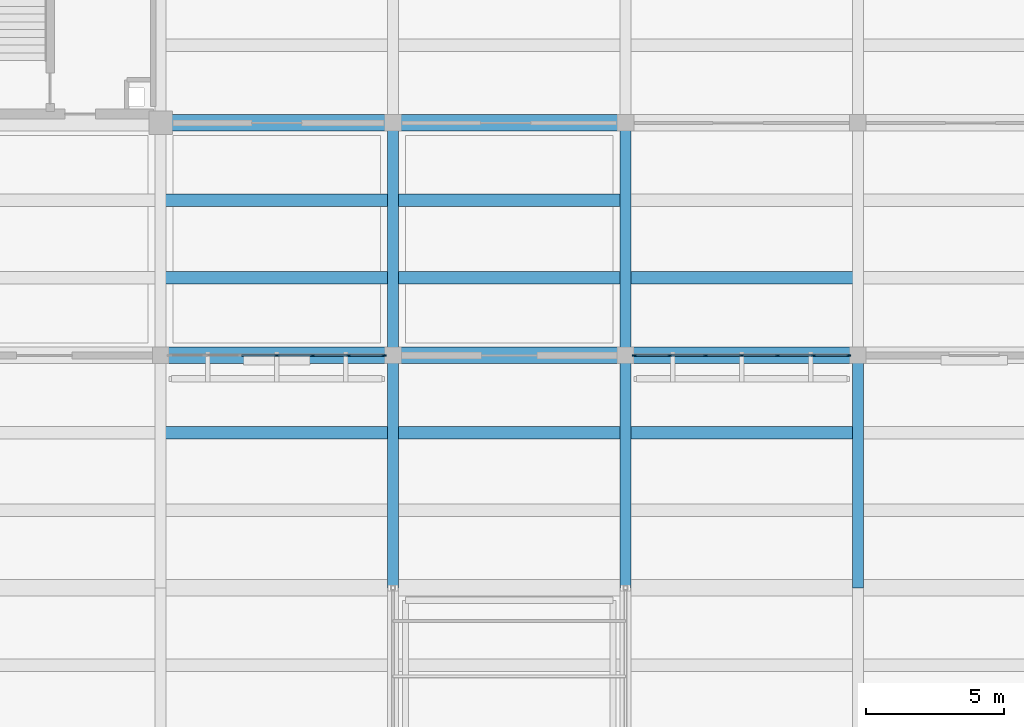
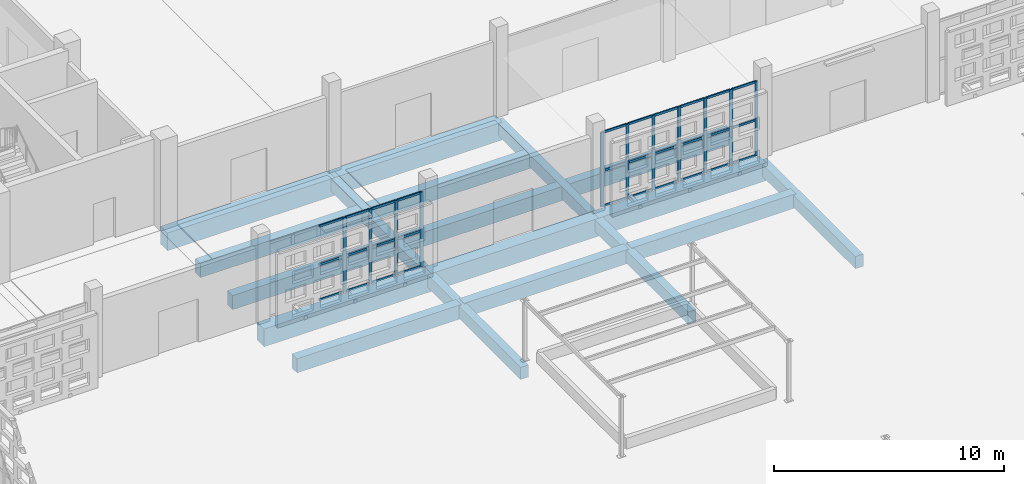
# One storey, part 28 of 129: 41 members, 18 beams, 2 elements without a shape of their own.
"""IFC4 building model written with IfcOpenShell, lengths in metres."""

from ifc_helpers import new_model, si_unit, direction, frame, origin, origin_2d, place, context, subcontext, project, spatial, rectangle, extrude, material, layer, layer_set, material_profile, profile_set, type_object, element, aggregate, save


model = new_model("IFC4")

# Units and contexts
model_context = context("Model", 3, precision=1e-05, world=origin(), true_north=direction((0.0, 1.0)))
body_context = subcontext(model_context, "Body", "Model", "MODEL_VIEW")
ifc_project = project(units=[si_unit("LENGTHUNIT", "METRE"), si_unit("AREAUNIT", "SQUARE_METRE"), si_unit("VOLUMEUNIT", "CUBIC_METRE"), si_unit("PLANEANGLEUNIT", "RADIAN"), si_unit("MASSUNIT", "GRAM", prefix="KILO")], contexts=[model_context])

# Site, building, storey
site_placement = place(None, origin())
site = spatial("IfcSite", under=ifc_project, at=site_placement, CompositionType="ELEMENT")
building_placement = place(site_placement, origin())
building = spatial("IfcBuilding", under=site, at=building_placement, Name="Varnapada Polytechnic", CompositionType="ELEMENT")
storey_placement = place(building_placement, origin())
storey = spatial("IfcBuildingStorey", under=building, at=storey_placement, Name="L00", CompositionType="ELEMENT", Elevation=0.0)

# Beams
ifc_material_1 = material(Name="Concrete C40/50", Category="concrete")
ifc_material_profile_1 = material_profile(ifc_material_1, rectangle(XDim=0.449951171875, YDim=0.75, at=origin_2d()), Name="RC 450x750")
ifc_profile_set_1 = profile_set([ifc_material_profile_1], Name="Concrete C40/50")
beam_type_1 = type_object("IfcBeamType", Name="Basement/podium secondary beam BB-01 (RC 450x750)", PredefinedType="BEAM", material=ifc_profile_set_1)
for number, where, z_axis, x_axis, name in (
    (1, (58.8798828125, 81.199951171875, -0.655029296875), (1.0, 0.0, 0.0), (0.0, 1.0, 0.0), "L00 floor joist 8/10.2"),
    (2, (58.8798828125, 86.800048828125, -0.695068359375), (1.0, 0.0, 0.0), (0.0, 1.0, 0.0), "L00 floor joist 8/11.1"),
    (3, (58.8798828125, 89.60009765625, -0.695068359375), (1.0, 0.0, 0.0), (0.0, 1.0, 0.0), "L00 floor joist 8/11.2"),
):
    element("IfcBeam", number, at=place(storey_placement, frame(where, z_axis=z_axis, x_axis=x_axis)), inside=storey, type_object=beam_type_1, Name=name, PredefinedType="BEAM", context=body_context, shape_type="SweptSolid", body=[
        extrude(rectangle(XDim=0.449951171875, YDim=0.75, at=origin_2d()), origin(), (0.0, 0.0, 1.0), 8.240234375),
    ])
for number, where, z_axis, x_axis, name in (
    (4, (67.280029296875, 81.199951171875, -0.655029296875), (1.0, 0.0, 0.0), (0.0, 1.0, 0.0), "L00 floor joist 9/10.2"),
    (5, (67.280029296875, 86.800048828125, -0.695068359375), (1.0, 0.0, 0.0), (0.0, 1.0, 0.0), "L00 floor joist 9/11.1"),
    (6, (67.280029296875, 89.60009765625, -0.695068359375), (1.0, 0.0, 0.0), (0.0, 1.0, 0.0), "L00 floor joist 9/11.2"),
    (7, (75.679931640625, 81.199951171875, -0.655029296875), (1.0, 0.0, 0.0), (0.0, 1.0, 0.0), "L00 floor joist 10/10.2"),
    (8, (75.679931640625, 86.800048828125, -0.695068359375), (1.0, 0.0, 0.0), (0.0, 1.0, 0.0), "L00 floor joist 10/11.1"),
):
    element("IfcBeam", number, at=place(storey_placement, frame(where, z_axis=z_axis, x_axis=x_axis)), inside=storey, type_object=beam_type_1, Name=name, PredefinedType="BEAM", context=body_context, shape_type="SweptSolid", body=[
        extrude(rectangle(XDim=0.449951171875, YDim=0.75, at=origin_2d()), origin(), (0.0, 0.0, 1.0), 8.239990234375),
    ])

# Curtain wall, members
ifc_material_2 = material(Name="Double low-E laminated glass", Category="glass")
ifc_layer = layer(ifc_material_2, 0.159912109375)
ifc_layer_set = layer_set([ifc_layer], Name="Double low-E laminated glass")
curtain_wall_type = type_object("IfcCurtainWallType", Name="Curtain Wall CW-01", PredefinedType="NOTDEFINED", material=ifc_layer_set)
curtain_wall_1_placement = place(storey_placement, origin())
curtain_wall_1 = element("IfcCurtainWall", 9, at=curtain_wall_1_placement, inside=storey, type_object=curtain_wall_type, Name="L00 unitised curtain wall CW-01 (7)", PredefinedType="NOTDEFINED")
ifc_material_3 = material(Name="Anodised aluminium", Category="aluminium")
ifc_material_profile_2 = material_profile(ifc_material_3, rectangle(XDim=0.06005859375, YDim=0.159912109375, at=origin_2d()), Name="ALU M60x160")
ifc_profile_set_2 = profile_set([ifc_material_profile_2], Name="Anodised aluminium")
member_type_1 = type_object("IfcMemberType", Name="Mullion M-01", PredefinedType="MULLION", material=ifc_profile_set_2)
member_1_placement = place(storey_placement, frame((66.8701171875, 84.0, 0.0), z_axis=(0.0, 0.0, 1.0), x_axis=(0.0, -1.0, 0.0)))
member_1 = element("IfcMember", 10, at=member_1_placement, type_object=member_type_1, Name="CW-01 mullion 1", PredefinedType="MULLION", context=body_context, shape_type="SweptSolid", body=[
    extrude(rectangle(XDim=0.06005859375, YDim=0.159912109375, at=origin_2d()), origin(), (0.0, 0.0, 1.0), 3.9599609375),
])
member_2_placement = place(storey_placement, frame((65.60009765625, 84.0, 0.0), z_axis=(0.0, 0.0, 1.0), x_axis=(0.0, -1.0, 0.0)))
member_2 = element("IfcMember", 11, at=member_2_placement, type_object=member_type_1, Name="CW-01 mullion 2", PredefinedType="MULLION", context=body_context, shape_type="SweptSolid", body=[
    extrude(rectangle(XDim=0.06005859375, YDim=0.159912109375, at=origin_2d()), origin(), (0.0, 0.0, 1.0), 3.9599609375),
])
member_3_placement = place(storey_placement, frame((64.300048828125, 84.0, 0.0), z_axis=(0.0, 0.0, 1.0), x_axis=(0.0, -1.0, 0.0)))
member_3 = element("IfcMember", 12, at=member_3_placement, type_object=member_type_1, Name="CW-01 mullion 3", PredefinedType="MULLION", context=body_context, shape_type="SweptSolid", body=[
    extrude(rectangle(XDim=0.06005859375, YDim=0.159912109375, at=origin_2d()), origin(), (0.0, 0.0, 1.0), 3.9599609375),
])
member_4_placement = place(storey_placement, frame((63.0, 84.0, 0.0), z_axis=(0.0, 0.0, 1.0), x_axis=(0.0, -1.0, 0.0)))
member_4 = element("IfcMember", 13, at=member_4_placement, type_object=member_type_1, Name="CW-01 mullion 4", PredefinedType="MULLION", context=body_context, shape_type="SweptSolid", body=[
    extrude(rectangle(XDim=0.06005859375, YDim=0.159912109375, at=origin_2d()), origin(), (0.0, 0.0, 1.0), 3.9599609375),
])

curtain_wall_2_placement = place(storey_placement, origin())
curtain_wall_2 = element("IfcCurtainWall", 14, at=curtain_wall_2_placement, inside=storey, type_object=curtain_wall_type, Name="L00 unitised curtain wall CW-01 (9)", PredefinedType="NOTDEFINED")
member_5_placement = place(storey_placement, frame((83.669921875, 84.0, 0.0), z_axis=(0.0, 0.0, 1.0), x_axis=(0.0, -1.0, 0.0)))
member_5 = element("IfcMember", 15, at=member_5_placement, type_object=member_type_1, Name="CW-01 mullion 1", PredefinedType="MULLION", context=body_context, shape_type="SweptSolid", body=[
    extrude(rectangle(XDim=0.06005859375, YDim=0.159912109375, at=origin_2d()), origin(), (0.0, 0.0, 1.0), 3.9599609375),
])
member_6_placement = place(storey_placement, frame((82.39990234375, 84.0, 0.0), z_axis=(0.0, 0.0, 1.0), x_axis=(0.0, -1.0, 0.0)))
member_6 = element("IfcMember", 16, at=member_6_placement, type_object=member_type_1, Name="CW-01 mullion 2", PredefinedType="MULLION", context=body_context, shape_type="SweptSolid", body=[
    extrude(rectangle(XDim=0.06005859375, YDim=0.159912109375, at=origin_2d()), origin(), (0.0, 0.0, 1.0), 3.9599609375),
])
member_7_placement = place(storey_placement, frame((81.10009765625, 84.0, 0.0), z_axis=(0.0, 0.0, 1.0), x_axis=(0.0, -1.0, 0.0)))
member_7 = element("IfcMember", 17, at=member_7_placement, type_object=member_type_1, Name="CW-01 mullion 3", PredefinedType="MULLION", context=body_context, shape_type="SweptSolid", body=[
    extrude(rectangle(XDim=0.06005859375, YDim=0.159912109375, at=origin_2d()), origin(), (0.0, 0.0, 1.0), 3.9599609375),
])
member_8_placement = place(storey_placement, frame((79.800048828125, 84.0, 0.0), z_axis=(0.0, 0.0, 1.0), x_axis=(0.0, -1.0, 0.0)))
member_8 = element("IfcMember", 18, at=member_8_placement, type_object=member_type_1, Name="CW-01 mullion 4", PredefinedType="MULLION", context=body_context, shape_type="SweptSolid", body=[
    extrude(rectangle(XDim=0.06005859375, YDim=0.159912109375, at=origin_2d()), origin(), (0.0, 0.0, 1.0), 3.9599609375),
])
member_9_placement = place(storey_placement, frame((78.5, 84.0, 0.0), z_axis=(0.0, 0.0, 1.0), x_axis=(0.0, -1.0, 0.0)))
member_9 = element("IfcMember", 19, at=member_9_placement, type_object=member_type_1, Name="CW-01 mullion 5", PredefinedType="MULLION", context=body_context, shape_type="SweptSolid", body=[
    extrude(rectangle(XDim=0.06005859375, YDim=0.159912109375, at=origin_2d()), origin(), (0.0, 0.0, 1.0), 3.9599609375),
])
member_10_placement = place(storey_placement, frame((77.199951171875, 84.0, 0.0), z_axis=(0.0, 0.0, 1.0), x_axis=(0.0, -1.0, 0.0)))
member_10 = element("IfcMember", 20, at=member_10_placement, type_object=member_type_1, Name="CW-01 mullion 6", PredefinedType="MULLION", context=body_context, shape_type="SweptSolid", body=[
    extrude(rectangle(XDim=0.06005859375, YDim=0.159912109375, at=origin_2d()), origin(), (0.0, 0.0, 1.0), 3.9599609375),
])
member_11_placement = place(storey_placement, frame((75.929931640625, 84.0, 0.0), z_axis=(0.0, 0.0, 1.0), x_axis=(0.0, -1.0, 0.0)))
member_11 = element("IfcMember", 21, at=member_11_placement, type_object=member_type_1, Name="CW-01 mullion 7", PredefinedType="MULLION", context=body_context, shape_type="SweptSolid", body=[
    extrude(rectangle(XDim=0.06005859375, YDim=0.159912109375, at=origin_2d()), origin(), (0.0, 0.0, 1.0), 3.9599609375),
])

# Beams
ifc_material_profile_3 = material_profile(ifc_material_1, rectangle(XDim=0.39990234375, YDim=0.64990234375, at=origin_2d()), Name="RC 400x650")
ifc_profile_set_3 = profile_set([ifc_material_profile_3], Name="Concrete C40/50")
beam_type_2 = type_object("IfcBeamType", Name="Podium framing beam BB-02 (RC 400x650)", PredefinedType="BEAM", material=ifc_profile_set_3)
for number, where, z_axis, x_axis, name in (
    (22, (67.199951171875, 75.60009765625, -0.64501953125), (0.0, 1.0, 0.0), (-1.0, 0.0, 0.0), "L00 beam Y 10-11 at X9"),
    (23, (67.199951171875, 84.0, -0.64501953125), (0.0, 1.0, 0.0), (-1.0, 0.0, 0.0), "L00 beam Y 11-12 at X9"),
    (24, (75.60009765625, 75.60009765625, -0.64501953125), (0.0, 1.0, 0.0), (-1.0, 0.0, 0.0), "L00 beam Y 10-11 at X10"),
    (25, (75.60009765625, 84.0, -0.64501953125), (0.0, 1.0, 0.0), (-1.0, 0.0, 0.0), "L00 beam Y 11-12 at X10"),
    (26, (84.0, 75.60009765625, -0.64501953125), (0.0, 1.0, 0.0), (-1.0, 0.0, 0.0), "L00 beam Y 10-11 at X11"),
):
    element("IfcBeam", number, at=place(storey_placement, frame(where, z_axis=z_axis, x_axis=x_axis)), inside=storey, type_object=beam_type_2, Name=name, PredefinedType="BEAM", context=body_context, shape_type="SweptSolid", body=[
        extrude(rectangle(XDim=0.39990234375, YDim=0.64990234375, at=origin_2d()), origin(), (0.0, 0.0, 1.0), 8.39990234375),
    ])

# Member
ifc_material_profile_4 = material_profile(ifc_material_3, rectangle(XDim=0.06005859375, YDim=0.1201171875, at=origin_2d()), Name="ALU T60x120")
ifc_profile_set_4 = profile_set([ifc_material_profile_4], Name="Anodised aluminium")
member_type_2 = type_object("IfcMemberType", Name="Transom T-01", PredefinedType="USERDEFINED", material=ifc_profile_set_4)
member_12_placement = place(storey_placement, frame((66.840087890625, 84.0, 0.030029296875), z_axis=(-1.0, 0.0, 0.0), x_axis=(0.0, -1.0, 0.0)))
member_12 = element("IfcMember", 27, at=member_12_placement, type_object=member_type_2, Name="CW-01 transom 1.1", ObjectType="TRANSOM", PredefinedType="USERDEFINED", context=body_context, shape_type="SweptSolid", body=[
    extrude(rectangle(XDim=0.06005859375, YDim=0.1201171875, at=origin_2d()), origin(), (0.0, 0.0, 1.0), 1.210205078125),
])

member_13_placement = place(storey_placement, frame((66.840087890625, 84.0, 1.90087890625), z_axis=(-1.0, 0.0, 0.0), x_axis=(0.0, -1.0, 0.0)))
member_13 = element("IfcMember", 28, at=member_13_placement, type_object=member_type_2, Name="CW-01 transom 1.2", ObjectType="TRANSOM", PredefinedType="USERDEFINED", context=body_context, shape_type="SweptSolid", body=[
    extrude(rectangle(XDim=0.06005859375, YDim=0.1201171875, at=origin_2d()), origin(), (0.0, 0.0, 1.0), 1.210205078125),
])

member_14_placement = place(storey_placement, frame((66.840087890625, 84.0, 3.929931640625), z_axis=(-1.0, 0.0, 0.0), x_axis=(0.0, -1.0, 0.0)))
member_14 = element("IfcMember", 29, at=member_14_placement, type_object=member_type_2, Name="CW-01 transom 1.3", ObjectType="TRANSOM", PredefinedType="USERDEFINED", context=body_context, shape_type="SweptSolid", body=[
    extrude(rectangle(XDim=0.06005859375, YDim=0.1201171875, at=origin_2d()), origin(), (0.0, 0.0, 1.0), 1.210205078125),
])

member_15_placement = place(storey_placement, frame((65.570068359375, 84.0, 0.030029296875), z_axis=(-1.0, 0.0, 0.0), x_axis=(0.0, -1.0, 0.0)))
member_15 = element("IfcMember", 30, at=member_15_placement, type_object=member_type_2, Name="CW-01 transom 2.1", ObjectType="TRANSOM", PredefinedType="USERDEFINED", context=body_context, shape_type="SweptSolid", body=[
    extrude(rectangle(XDim=0.06005859375, YDim=0.1201171875, at=origin_2d()), origin(), (0.0, 0.0, 1.0), 1.239990234375),
])

member_16_placement = place(storey_placement, frame((65.570068359375, 84.0, 1.90087890625), z_axis=(-1.0, 0.0, 0.0), x_axis=(0.0, -1.0, 0.0)))
member_16 = element("IfcMember", 31, at=member_16_placement, type_object=member_type_2, Name="CW-01 transom 2.2", ObjectType="TRANSOM", PredefinedType="USERDEFINED", context=body_context, shape_type="SweptSolid", body=[
    extrude(rectangle(XDim=0.06005859375, YDim=0.1201171875, at=origin_2d()), origin(), (0.0, 0.0, 1.0), 1.239990234375),
])

member_17_placement = place(storey_placement, frame((65.570068359375, 84.0, 3.929931640625), z_axis=(-1.0, 0.0, 0.0), x_axis=(0.0, -1.0, 0.0)))
member_17 = element("IfcMember", 32, at=member_17_placement, type_object=member_type_2, Name="CW-01 transom 2.3", ObjectType="TRANSOM", PredefinedType="USERDEFINED", context=body_context, shape_type="SweptSolid", body=[
    extrude(rectangle(XDim=0.06005859375, YDim=0.1201171875, at=origin_2d()), origin(), (0.0, 0.0, 1.0), 1.239990234375),
])

member_18_placement = place(storey_placement, frame((64.27001953125, 84.0, 0.030029296875), z_axis=(-1.0, 0.0, 0.0), x_axis=(0.0, -1.0, 0.0)))
member_18 = element("IfcMember", 33, at=member_18_placement, type_object=member_type_2, Name="CW-01 transom 3.1", ObjectType="TRANSOM", PredefinedType="USERDEFINED", context=body_context, shape_type="SweptSolid", body=[
    extrude(rectangle(XDim=0.06005859375, YDim=0.1201171875, at=origin_2d()), origin(), (0.0, 0.0, 1.0), 1.239990234375),
])

member_19_placement = place(storey_placement, frame((64.27001953125, 84.0, 1.90087890625), z_axis=(-1.0, 0.0, 0.0), x_axis=(0.0, -1.0, 0.0)))
member_19 = element("IfcMember", 34, at=member_19_placement, type_object=member_type_2, Name="CW-01 transom 3.2", ObjectType="TRANSOM", PredefinedType="USERDEFINED", context=body_context, shape_type="SweptSolid", body=[
    extrude(rectangle(XDim=0.06005859375, YDim=0.1201171875, at=origin_2d()), origin(), (0.0, 0.0, 1.0), 1.239990234375),
])

member_20_placement = place(storey_placement, frame((64.27001953125, 84.0, 3.929931640625), z_axis=(-1.0, 0.0, 0.0), x_axis=(0.0, -1.0, 0.0)))
member_20 = element("IfcMember", 35, at=member_20_placement, type_object=member_type_2, Name="CW-01 transom 3.3", ObjectType="TRANSOM", PredefinedType="USERDEFINED", context=body_context, shape_type="SweptSolid", body=[
    extrude(rectangle(XDim=0.06005859375, YDim=0.1201171875, at=origin_2d()), origin(), (0.0, 0.0, 1.0), 1.239990234375),
])

member_21_placement = place(storey_placement, frame((62.969970703125, 84.0, 0.030029296875), z_axis=(-1.0, 0.0, 0.0), x_axis=(0.0, -1.0, 0.0)))
member_21 = element("IfcMember", 36, at=member_21_placement, type_object=member_type_2, Name="CW-01 transom 4.1", ObjectType="TRANSOM", PredefinedType="USERDEFINED", context=body_context, shape_type="SweptSolid", body=[
    extrude(rectangle(XDim=0.06005859375, YDim=0.1201171875, at=origin_2d()), origin(), (0.0, 0.0, 1.0), 1.239990234375),
])

member_22_placement = place(storey_placement, frame((62.969970703125, 84.0, 1.90087890625), z_axis=(-1.0, 0.0, 0.0), x_axis=(0.0, -1.0, 0.0)))
member_22 = element("IfcMember", 37, at=member_22_placement, type_object=member_type_2, Name="CW-01 transom 4.2", ObjectType="TRANSOM", PredefinedType="USERDEFINED", context=body_context, shape_type="SweptSolid", body=[
    extrude(rectangle(XDim=0.06005859375, YDim=0.1201171875, at=origin_2d()), origin(), (0.0, 0.0, 1.0), 1.239990234375),
])

member_23_placement = place(storey_placement, frame((62.969970703125, 84.0, 3.929931640625), z_axis=(-1.0, 0.0, 0.0), x_axis=(0.0, -1.0, 0.0)))
member_23 = element("IfcMember", 38, at=member_23_placement, type_object=member_type_2, Name="CW-01 transom 4.3", ObjectType="TRANSOM", PredefinedType="USERDEFINED", context=body_context, shape_type="SweptSolid", body=[
    extrude(rectangle(XDim=0.06005859375, YDim=0.1201171875, at=origin_2d()), origin(), (0.0, 0.0, 1.0), 1.239990234375),
])

aggregate(curtain_wall_1, [member_1, member_2, member_3, member_4, member_12, member_13, member_14, member_15, member_16, member_17, member_18, member_19, member_20, member_21, member_22, member_23])

member_24_placement = place(storey_placement, frame((83.639892578125, 84.0, 0.030029296875), z_axis=(-1.0, 0.0, 0.0), x_axis=(0.0, -1.0, 0.0)))
member_24 = element("IfcMember", 39, at=member_24_placement, type_object=member_type_2, Name="CW-01 transom 1.1", ObjectType="TRANSOM", PredefinedType="USERDEFINED", context=body_context, shape_type="SweptSolid", body=[
    extrude(rectangle(XDim=0.06005859375, YDim=0.1201171875, at=origin_2d()), origin(), (0.0, 0.0, 1.0), 1.2099609375),
])

member_25_placement = place(storey_placement, frame((83.639892578125, 84.0, 1.90087890625), z_axis=(-1.0, 0.0, 0.0), x_axis=(0.0, -1.0, 0.0)))
member_25 = element("IfcMember", 40, at=member_25_placement, type_object=member_type_2, Name="CW-01 transom 1.2", ObjectType="TRANSOM", PredefinedType="USERDEFINED", context=body_context, shape_type="SweptSolid", body=[
    extrude(rectangle(XDim=0.06005859375, YDim=0.1201171875, at=origin_2d()), origin(), (0.0, 0.0, 1.0), 1.2099609375),
])

member_26_placement = place(storey_placement, frame((83.639892578125, 84.0, 3.929931640625), z_axis=(-1.0, 0.0, 0.0), x_axis=(0.0, -1.0, 0.0)))
member_26 = element("IfcMember", 41, at=member_26_placement, type_object=member_type_2, Name="CW-01 transom 1.3", ObjectType="TRANSOM", PredefinedType="USERDEFINED", context=body_context, shape_type="SweptSolid", body=[
    extrude(rectangle(XDim=0.06005859375, YDim=0.1201171875, at=origin_2d()), origin(), (0.0, 0.0, 1.0), 1.2099609375),
])

member_27_placement = place(storey_placement, frame((82.3701171875, 84.0, 0.030029296875), z_axis=(-1.0, 0.0, 0.0), x_axis=(0.0, -1.0, 0.0)))
member_27 = element("IfcMember", 42, at=member_27_placement, type_object=member_type_2, Name="CW-01 transom 2.1", ObjectType="TRANSOM", PredefinedType="USERDEFINED", context=body_context, shape_type="SweptSolid", body=[
    extrude(rectangle(XDim=0.06005859375, YDim=0.1201171875, at=origin_2d()), origin(), (0.0, 0.0, 1.0), 1.240234375),
])

member_28_placement = place(storey_placement, frame((82.3701171875, 84.0, 1.90087890625), z_axis=(-1.0, 0.0, 0.0), x_axis=(0.0, -1.0, 0.0)))
member_28 = element("IfcMember", 43, at=member_28_placement, type_object=member_type_2, Name="CW-01 transom 2.2", ObjectType="TRANSOM", PredefinedType="USERDEFINED", context=body_context, shape_type="SweptSolid", body=[
    extrude(rectangle(XDim=0.06005859375, YDim=0.1201171875, at=origin_2d()), origin(), (0.0, 0.0, 1.0), 1.240234375),
])

member_29_placement = place(storey_placement, frame((82.3701171875, 84.0, 3.929931640625), z_axis=(-1.0, 0.0, 0.0), x_axis=(0.0, -1.0, 0.0)))
member_29 = element("IfcMember", 44, at=member_29_placement, type_object=member_type_2, Name="CW-01 transom 2.3", ObjectType="TRANSOM", PredefinedType="USERDEFINED", context=body_context, shape_type="SweptSolid", body=[
    extrude(rectangle(XDim=0.06005859375, YDim=0.1201171875, at=origin_2d()), origin(), (0.0, 0.0, 1.0), 1.240234375),
])

member_30_placement = place(storey_placement, frame((81.070068359375, 84.0, 0.030029296875), z_axis=(-1.0, 0.0, 0.0), x_axis=(0.0, -1.0, 0.0)))
member_30 = element("IfcMember", 45, at=member_30_placement, type_object=member_type_2, Name="CW-01 transom 3.1", ObjectType="TRANSOM", PredefinedType="USERDEFINED", context=body_context, shape_type="SweptSolid", body=[
    extrude(rectangle(XDim=0.06005859375, YDim=0.1201171875, at=origin_2d()), origin(), (0.0, 0.0, 1.0), 1.239990234375),
])

member_31_placement = place(storey_placement, frame((81.070068359375, 84.0, 1.90087890625), z_axis=(-1.0, 0.0, 0.0), x_axis=(0.0, -1.0, 0.0)))
member_31 = element("IfcMember", 46, at=member_31_placement, type_object=member_type_2, Name="CW-01 transom 3.2", ObjectType="TRANSOM", PredefinedType="USERDEFINED", context=body_context, shape_type="SweptSolid", body=[
    extrude(rectangle(XDim=0.06005859375, YDim=0.1201171875, at=origin_2d()), origin(), (0.0, 0.0, 1.0), 1.239990234375),
])

member_32_placement = place(storey_placement, frame((81.070068359375, 84.0, 3.929931640625), z_axis=(-1.0, 0.0, 0.0), x_axis=(0.0, -1.0, 0.0)))
member_32 = element("IfcMember", 47, at=member_32_placement, type_object=member_type_2, Name="CW-01 transom 3.3", ObjectType="TRANSOM", PredefinedType="USERDEFINED", context=body_context, shape_type="SweptSolid", body=[
    extrude(rectangle(XDim=0.06005859375, YDim=0.1201171875, at=origin_2d()), origin(), (0.0, 0.0, 1.0), 1.239990234375),
])

member_33_placement = place(storey_placement, frame((79.77001953125, 84.0, 0.030029296875), z_axis=(-1.0, 0.0, 0.0), x_axis=(0.0, -1.0, 0.0)))
member_33 = element("IfcMember", 48, at=member_33_placement, type_object=member_type_2, Name="CW-01 transom 4.1", ObjectType="TRANSOM", PredefinedType="USERDEFINED", context=body_context, shape_type="SweptSolid", body=[
    extrude(rectangle(XDim=0.06005859375, YDim=0.1201171875, at=origin_2d()), origin(), (0.0, 0.0, 1.0), 1.239990234375),
])

member_34_placement = place(storey_placement, frame((79.77001953125, 84.0, 1.90087890625), z_axis=(-1.0, 0.0, 0.0), x_axis=(0.0, -1.0, 0.0)))
member_34 = element("IfcMember", 49, at=member_34_placement, type_object=member_type_2, Name="CW-01 transom 4.2", ObjectType="TRANSOM", PredefinedType="USERDEFINED", context=body_context, shape_type="SweptSolid", body=[
    extrude(rectangle(XDim=0.06005859375, YDim=0.1201171875, at=origin_2d()), origin(), (0.0, 0.0, 1.0), 1.239990234375),
])

member_35_placement = place(storey_placement, frame((79.77001953125, 84.0, 3.929931640625), z_axis=(-1.0, 0.0, 0.0), x_axis=(0.0, -1.0, 0.0)))
member_35 = element("IfcMember", 50, at=member_35_placement, type_object=member_type_2, Name="CW-01 transom 4.3", ObjectType="TRANSOM", PredefinedType="USERDEFINED", context=body_context, shape_type="SweptSolid", body=[
    extrude(rectangle(XDim=0.06005859375, YDim=0.1201171875, at=origin_2d()), origin(), (0.0, 0.0, 1.0), 1.239990234375),
])

member_36_placement = place(storey_placement, frame((78.469970703125, 84.0, 0.030029296875), z_axis=(-1.0, 0.0, 0.0), x_axis=(0.0, -1.0, 0.0)))
member_36 = element("IfcMember", 51, at=member_36_placement, type_object=member_type_2, Name="CW-01 transom 5.1", ObjectType="TRANSOM", PredefinedType="USERDEFINED", context=body_context, shape_type="SweptSolid", body=[
    extrude(rectangle(XDim=0.06005859375, YDim=0.1201171875, at=origin_2d()), origin(), (0.0, 0.0, 1.0), 1.239990234375),
])

member_37_placement = place(storey_placement, frame((78.469970703125, 84.0, 1.90087890625), z_axis=(-1.0, 0.0, 0.0), x_axis=(0.0, -1.0, 0.0)))
member_37 = element("IfcMember", 52, at=member_37_placement, type_object=member_type_2, Name="CW-01 transom 5.2", ObjectType="TRANSOM", PredefinedType="USERDEFINED", context=body_context, shape_type="SweptSolid", body=[
    extrude(rectangle(XDim=0.06005859375, YDim=0.1201171875, at=origin_2d()), origin(), (0.0, 0.0, 1.0), 1.239990234375),
])

member_38_placement = place(storey_placement, frame((78.469970703125, 84.0, 3.929931640625), z_axis=(-1.0, 0.0, 0.0), x_axis=(0.0, -1.0, 0.0)))
member_38 = element("IfcMember", 53, at=member_38_placement, type_object=member_type_2, Name="CW-01 transom 5.3", ObjectType="TRANSOM", PredefinedType="USERDEFINED", context=body_context, shape_type="SweptSolid", body=[
    extrude(rectangle(XDim=0.06005859375, YDim=0.1201171875, at=origin_2d()), origin(), (0.0, 0.0, 1.0), 1.239990234375),
])

member_39_placement = place(storey_placement, frame((77.169921875, 84.0, 0.030029296875), z_axis=(-1.0, 0.0, 0.0), x_axis=(0.0, -1.0, 0.0)))
member_39 = element("IfcMember", 54, at=member_39_placement, type_object=member_type_2, Name="CW-01 transom 6.1", ObjectType="TRANSOM", PredefinedType="USERDEFINED", context=body_context, shape_type="SweptSolid", body=[
    extrude(rectangle(XDim=0.06005859375, YDim=0.1201171875, at=origin_2d()), origin(), (0.0, 0.0, 1.0), 1.2099609375),
])

member_40_placement = place(storey_placement, frame((77.169921875, 84.0, 1.90087890625), z_axis=(-1.0, 0.0, 0.0), x_axis=(0.0, -1.0, 0.0)))
member_40 = element("IfcMember", 55, at=member_40_placement, type_object=member_type_2, Name="CW-01 transom 6.2", ObjectType="TRANSOM", PredefinedType="USERDEFINED", context=body_context, shape_type="SweptSolid", body=[
    extrude(rectangle(XDim=0.06005859375, YDim=0.1201171875, at=origin_2d()), origin(), (0.0, 0.0, 1.0), 1.2099609375),
])

member_41_placement = place(storey_placement, frame((77.169921875, 84.0, 3.929931640625), z_axis=(-1.0, 0.0, 0.0), x_axis=(0.0, -1.0, 0.0)))
member_41 = element("IfcMember", 56, at=member_41_placement, type_object=member_type_2, Name="CW-01 transom 6.3", ObjectType="TRANSOM", PredefinedType="USERDEFINED", context=body_context, shape_type="SweptSolid", body=[
    extrude(rectangle(XDim=0.06005859375, YDim=0.1201171875, at=origin_2d()), origin(), (0.0, 0.0, 1.0), 1.2099609375),
])

aggregate(curtain_wall_2, [member_5, member_6, member_7, member_8, member_9, member_10, member_11, member_24, member_25, member_26, member_27, member_28, member_29, member_30, member_31, member_32, member_33, member_34, member_35, member_36, member_37, member_38, member_39, member_40, member_41])

# Beams
ifc_material_profile_5 = material_profile(ifc_material_1, rectangle(XDim=0.60009765625, YDim=0.949951171875, at=origin_2d()), Name="RC 600x950")
ifc_profile_set_5 = profile_set([ifc_material_profile_5], Name="Concrete C40/50")
beam_type_3 = type_object("IfcBeamType", Name="Workshop podium heavy girder BG-03 (RC 600x950)", PredefinedType="T_BEAM", material=ifc_profile_set_5)
for number, where, z_axis, x_axis, name in (
    (57, (58.800048828125, 84.0, -0.794921875), (1.0, 0.0, 0.0), (0.0, 1.0, 0.0), "L00 beam X 8-9 at Y11"),
    (58, (58.800048828125, 92.39990234375, -0.794921875), (1.0, 0.0, 0.0), (0.0, 1.0, 0.0), "L00 beam X 8-9 at Y12"),
):
    element("IfcBeam", number, at=place(storey_placement, frame(where, z_axis=z_axis, x_axis=x_axis)), inside=storey, type_object=beam_type_3, Name=name, PredefinedType="T_BEAM", context=body_context, shape_type="SweptSolid", body=[
        extrude(rectangle(XDim=0.60009765625, YDim=0.949951171875, at=origin_2d()), origin(), (0.0, 0.0, 1.0), 8.39990234375),
    ])
for number, where, z_axis, x_axis, name in (
    (59, (67.199951171875, 84.0, -0.794921875), (1.0, 0.0, 0.0), (0.0, 1.0, 0.0), "L00 beam X 9-10 at Y11"),
    (60, (67.199951171875, 92.39990234375, -0.794921875), (1.0, 0.0, 0.0), (0.0, 1.0, 0.0), "L00 beam X 9-10 at Y12"),
):
    element("IfcBeam", number, at=place(storey_placement, frame(where, z_axis=z_axis, x_axis=x_axis)), inside=storey, type_object=beam_type_3, Name=name, PredefinedType="T_BEAM", context=body_context, shape_type="SweptSolid", body=[
        extrude(rectangle(XDim=0.60009765625, YDim=0.949951171875, at=origin_2d()), origin(), (0.0, 0.0, 1.0), 8.400146484375),
    ])
beam_placement = place(storey_placement, frame((75.60009765625, 84.0, -0.794921875), z_axis=(1.0, 0.0, 0.0), x_axis=(0.0, 1.0, 0.0)))
element("IfcBeam", 61, at=beam_placement, inside=storey, type_object=beam_type_3, Name="L00 beam X 10-11 at Y11", PredefinedType="T_BEAM", context=body_context, shape_type="SweptSolid", body=[
    extrude(rectangle(XDim=0.60009765625, YDim=0.949951171875, at=origin_2d()), origin(), (0.0, 0.0, 1.0), 8.39990234375),
])

save(model, "model.ifc")
